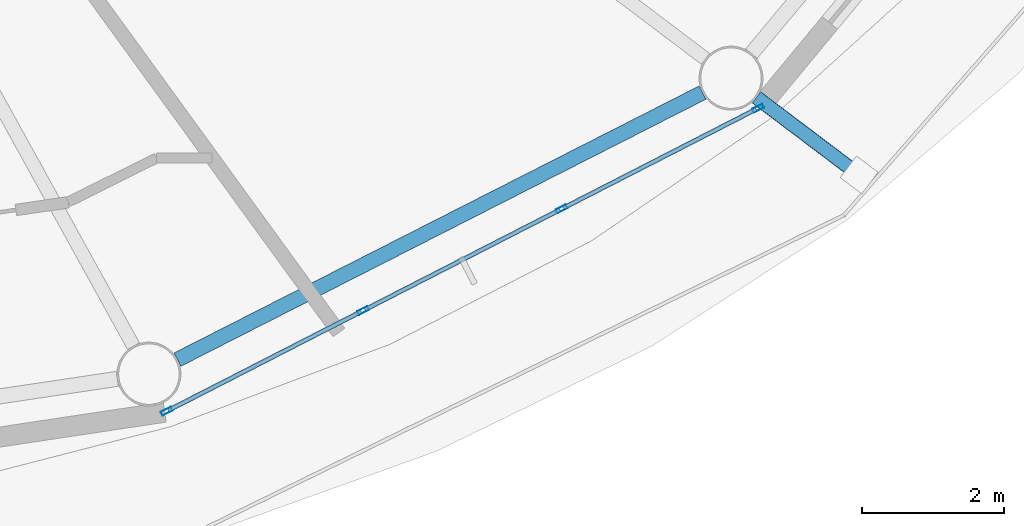
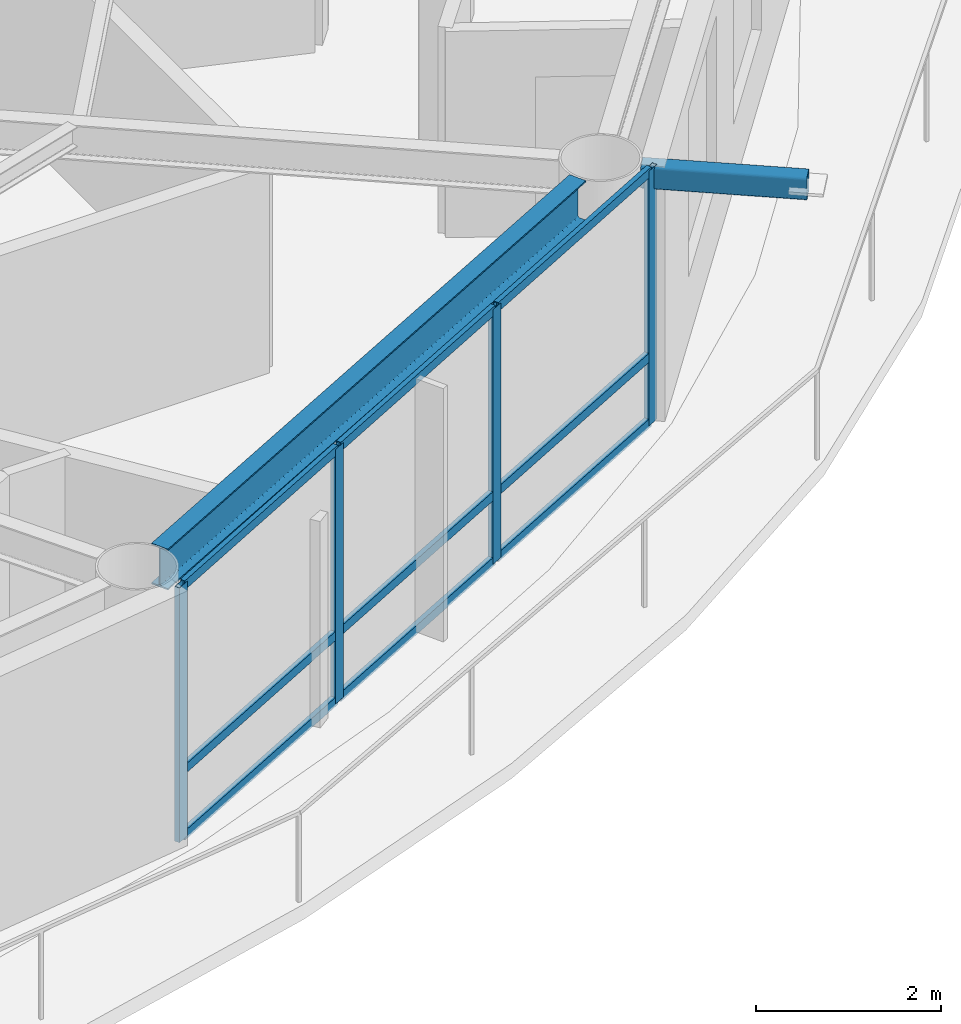
# One storey, part 5 of 23: 14 members, 1 beam, 1 element without a shape of its own.
"""IFC4 building model written with IfcOpenShell, lengths in metres."""

from ifc_helpers import new_model, si_unit, direction, frame, origin, origin_2d, place, context, subcontext, project, spatial, hollow_rectangle, i_section, extrude, material, layer, layer_set, material_profile, profile_set, type_object, element, aggregate, save


model = new_model("IFC4")

# Units and contexts
model_context = context("Model", 3, precision=1e-05, world=origin(), true_north=direction((0.0, 1.0)))
body_context = subcontext(model_context, "Body", "Model", "MODEL_VIEW")
ifc_project = project(units=[si_unit("LENGTHUNIT", "METRE"), si_unit("AREAUNIT", "SQUARE_METRE"), si_unit("VOLUMEUNIT", "CUBIC_METRE"), si_unit("PLANEANGLEUNIT", "RADIAN"), si_unit("MASSUNIT", "GRAM", prefix="KILO")], contexts=[model_context])

# Site, building, storey
site_placement = place(None, origin())
site = spatial("IfcSite", under=ifc_project, at=site_placement, CompositionType="ELEMENT")
building_placement = place(site_placement, origin())
building = spatial("IfcBuilding", under=site, at=building_placement, Name="Sarneth Arch Tower", CompositionType="ELEMENT")
storey_placement = place(building_placement, frame((0.0, 0.0, 224.39990234375)))
storey = spatial("IfcBuildingStorey", under=building, at=storey_placement, Name="L57", CompositionType="ELEMENT", Elevation=224.39990234375)

# Beam
ifc_material_1 = material(Name="Steel S355", Category="steel")
ifc_material_profile_1 = material_profile(ifc_material_1, i_section(OverallWidth=0.2109375, OverallDepth=0.5390625, WebThickness=0.01171875, FlangeThickness=0.018798828125, FilletRadius=0.01806640625, at=origin_2d()), Name="W530x109")
ifc_profile_set_1 = profile_set([ifc_material_profile_1], Name="Steel S355")
beam_type = type_object("IfcBeamType", Name="BM-RAD-530B", PredefinedType="BEAM", material=ifc_profile_set_1)
beam_placement = place(storey_placement, frame((58.19189453125, 24.465576171875, 3.090576171875), z_axis=(0.891376248079, 0.453264144138, 0.0), x_axis=(-0.453264144138, 0.891376248079, 0.0)))
element("IfcBeam", 1, at=beam_placement, inside=storey, type_object=beam_type, Name="L57 Perimeter spandrel beam 14", PredefinedType="BEAM", context=body_context, shape_type="SweptSolid", body=[
    extrude(i_section(OverallWidth=0.2109375, OverallDepth=0.5390625, WebThickness=0.01171875, FlangeThickness=0.018798828125, FilletRadius=0.01806640625, at=origin_2d()), origin(), (0.0, 0.0, 1.0), 8.281982421875),
])

# Curtain wall, members
ifc_material_2 = material(Name="Anodised aluminium Type AA25 and solar-control low-e laminated IGU", Category="aluminium")
ifc_layer = layer(ifc_material_2, 0.179931640625)
ifc_layer_set = layer_set([ifc_layer], Name="Anodised aluminium Type AA25 and solar-control low-e laminated IGU")
curtain_wall_type = type_object("IfcCurtainWallType", Name="CW-RES-HIGH", PredefinedType="NOTDEFINED", material=ifc_layer_set)
curtain_wall_placement = place(storey_placement, origin())
curtain_wall = element("IfcCurtainWall", 2, at=curtain_wall_placement, inside=storey, type_object=curtain_wall_type, Name="L57 Unitised curtain wall facet 14", PredefinedType="NOTDEFINED")
ifc_material_3 = material(Name="Anodised Aluminium 6063-T6", Category="aluminium")
ifc_material_profile_2 = material_profile(ifc_material_3, hollow_rectangle(XDim=0.06005859375, YDim=0.159912109375, WallThickness=0.00390625, at=origin_2d()), Name="AL-MULL-160x60x4")
ifc_profile_set_2 = profile_set([ifc_material_profile_2], Name="Anodised Aluminium 6063-T6")
member_type_1 = type_object("IfcMemberType", Name="CW-MULLION", PredefinedType="MULLION", material=ifc_profile_set_2)
member_1_placement = place(storey_placement, frame((58.039306640625, 23.7392578125, 0.0), z_axis=(0.0, 0.0, 1.0), x_axis=(-0.455941901753, 0.890009540525, 0.0)))
member_1 = element("IfcMember", 3, at=member_1_placement, type_object=member_type_1, Name="CW-SYS-6 mullion 1", PredefinedType="MULLION", context=body_context, shape_type="SweptSolid", body=[
    extrude(hollow_rectangle(XDim=0.06005859375, YDim=0.159912109375, WallThickness=0.00390625, at=origin_2d()), origin(), (0.0, 0.0, 1.0), 3.360107421875),
])
member_2_placement = place(storey_placement, frame((60.802490234375, 25.155029296875, 0.0), z_axis=(0.0, 0.0, 1.0), x_axis=(-0.455941901753, 0.890009540525, 0.0)))
member_2 = element("IfcMember", 4, at=member_2_placement, type_object=member_type_1, Name="CW-SYS-6 mullion 2", PredefinedType="MULLION", context=body_context, shape_type="SweptSolid", body=[
    extrude(hollow_rectangle(XDim=0.06005859375, YDim=0.159912109375, WallThickness=0.00390625, at=origin_2d()), origin(), (0.0, 0.0, 1.0), 3.360107421875),
])
member_3_placement = place(storey_placement, frame((63.592529296875, 26.584228515625, 0.0), z_axis=(0.0, 0.0, 1.0), x_axis=(-0.455941901753, 0.890009540525, 0.0)))
member_3 = element("IfcMember", 5, at=member_3_placement, type_object=member_type_1, Name="CW-SYS-6 mullion 3", PredefinedType="MULLION", context=body_context, shape_type="SweptSolid", body=[
    extrude(hollow_rectangle(XDim=0.06005859375, YDim=0.159912109375, WallThickness=0.00390625, at=origin_2d()), origin(), (0.0, 0.0, 1.0), 3.360107421875),
])
member_4_placement = place(storey_placement, frame((66.355712890625, 27.999755859375, 0.0), z_axis=(0.0, 0.0, 1.0), x_axis=(-0.455941901753, 0.890009540525, 0.0)))
member_4 = element("IfcMember", 6, at=member_4_placement, type_object=member_type_1, Name="CW-SYS-6 mullion 4", PredefinedType="MULLION", context=body_context, shape_type="SweptSolid", body=[
    extrude(hollow_rectangle(XDim=0.06005859375, YDim=0.159912109375, WallThickness=0.00390625, at=origin_2d()), origin(), (0.0, 0.0, 1.0), 3.360107421875),
])
ifc_material_4 = material(Name="Anodised Aluminium 6063-T6", Category="aluminium")
ifc_material_profile_3 = material_profile(ifc_material_4, hollow_rectangle(XDim=0.06005859375, YDim=0.1201171875, WallThickness=0.00390625, at=origin_2d()), Name="AL-TRAN-120x60x4")
ifc_profile_set_3 = profile_set([ifc_material_profile_3], Name="Anodised Aluminium 6063-T6")
member_type_2 = type_object("IfcMemberType", Name="CW-TRANSOM", PredefinedType="USERDEFINED", material=ifc_profile_set_3)
member_5_placement = place(storey_placement, frame((58.066162109375, 23.7529296875, 0.030029296875), z_axis=(0.889973523166, 0.456012201662, 0.0), x_axis=(-0.456012201662, 0.889973523166, 0.0)))
member_5 = element("IfcMember", 7, at=member_5_placement, type_object=member_type_2, Name="CW-SYS-6 transom 1.1", ObjectType="TRANSOM", PredefinedType="USERDEFINED", context=body_context, shape_type="SweptSolid", body=[
    extrude(hollow_rectangle(XDim=0.06005859375, YDim=0.1201171875, WallThickness=0.00390625, at=origin_2d()), origin(), (0.0, 0.0, 1.0), 3.044677734375),
])
member_6_placement = place(storey_placement, frame((58.066162109375, 23.7529296875, 0.900146484375), z_axis=(0.889973523166, 0.456012201662, 0.0), x_axis=(-0.456012201662, 0.889973523166, 0.0)))
member_6 = element("IfcMember", 8, at=member_6_placement, type_object=member_type_2, Name="CW-SYS-6 transom 1.2", ObjectType="TRANSOM", PredefinedType="USERDEFINED", context=body_context, shape_type="SweptSolid", body=[
    extrude(hollow_rectangle(XDim=0.06005859375, YDim=0.1201171875, WallThickness=0.00390625, at=origin_2d()), origin(), (0.0, 0.0, 1.0), 3.044677734375),
])
member_7_placement = place(storey_placement, frame((58.066162109375, 23.7529296875, 3.330078125), z_axis=(0.889973523166, 0.456012201662, 0.0), x_axis=(-0.456012201662, 0.889973523166, 0.0)))
member_7 = element("IfcMember", 9, at=member_7_placement, type_object=member_type_2, Name="CW-SYS-6 transom 1.3", ObjectType="TRANSOM", PredefinedType="USERDEFINED", context=body_context, shape_type="SweptSolid", body=[
    extrude(hollow_rectangle(XDim=0.06005859375, YDim=0.1201171875, WallThickness=0.00390625, at=origin_2d()), origin(), (0.0, 0.0, 1.0), 3.044677734375),
])
member_8_placement = place(storey_placement, frame((60.829345703125, 25.168701171875, 0.030029296875), z_axis=(0.890017432405, 0.455926496286, 0.0), x_axis=(-0.455926496286, 0.890017432405, 0.0)))
member_8 = element("IfcMember", 10, at=member_8_placement, type_object=member_type_2, Name="CW-SYS-6 transom 2.1", ObjectType="TRANSOM", PredefinedType="USERDEFINED", context=body_context, shape_type="SweptSolid", body=[
    extrude(hollow_rectangle(XDim=0.06005859375, YDim=0.1201171875, WallThickness=0.00390625, at=origin_2d()), origin(), (0.0, 0.0, 1.0), 3.07470703125),
])
member_9_placement = place(storey_placement, frame((60.829345703125, 25.168701171875, 0.900146484375), z_axis=(0.890017432405, 0.455926496286, 0.0), x_axis=(-0.455926496286, 0.890017432405, 0.0)))
member_9 = element("IfcMember", 11, at=member_9_placement, type_object=member_type_2, Name="CW-SYS-6 transom 2.2", ObjectType="TRANSOM", PredefinedType="USERDEFINED", context=body_context, shape_type="SweptSolid", body=[
    extrude(hollow_rectangle(XDim=0.06005859375, YDim=0.1201171875, WallThickness=0.00390625, at=origin_2d()), origin(), (0.0, 0.0, 1.0), 3.07470703125),
])
member_10_placement = place(storey_placement, frame((60.829345703125, 25.168701171875, 3.330078125), z_axis=(0.890017432405, 0.455926496286, 0.0), x_axis=(-0.455926496286, 0.890017432405, 0.0)))
member_10 = element("IfcMember", 12, at=member_10_placement, type_object=member_type_2, Name="CW-SYS-6 transom 2.3", ObjectType="TRANSOM", PredefinedType="USERDEFINED", context=body_context, shape_type="SweptSolid", body=[
    extrude(hollow_rectangle(XDim=0.06005859375, YDim=0.1201171875, WallThickness=0.00390625, at=origin_2d()), origin(), (0.0, 0.0, 1.0), 3.07470703125),
])
member_11_placement = place(storey_placement, frame((63.619140625, 26.597900390625, 0.030029296875), z_axis=(0.890022732705, 0.455916149384, 0.0), x_axis=(-0.455916149384, 0.890022732705, 0.0)))
member_11 = element("IfcMember", 13, at=member_11_placement, type_object=member_type_2, Name="CW-SYS-6 transom 3.1", ObjectType="TRANSOM", PredefinedType="USERDEFINED", context=body_context, shape_type="SweptSolid", body=[
    extrude(hollow_rectangle(XDim=0.06005859375, YDim=0.1201171875, WallThickness=0.00390625, at=origin_2d()), origin(), (0.0, 0.0, 1.0), 3.044921875),
])
member_12_placement = place(storey_placement, frame((63.619140625, 26.597900390625, 0.900146484375), z_axis=(0.890022732705, 0.455916149384, 0.0), x_axis=(-0.455916149384, 0.890022732705, 0.0)))
member_12 = element("IfcMember", 14, at=member_12_placement, type_object=member_type_2, Name="CW-SYS-6 transom 3.2", ObjectType="TRANSOM", PredefinedType="USERDEFINED", context=body_context, shape_type="SweptSolid", body=[
    extrude(hollow_rectangle(XDim=0.06005859375, YDim=0.1201171875, WallThickness=0.00390625, at=origin_2d()), origin(), (0.0, 0.0, 1.0), 3.044921875),
])
member_13_placement = place(storey_placement, frame((63.619140625, 26.597900390625, 3.330078125), z_axis=(0.890022732705, 0.455916149384, 0.0), x_axis=(-0.455916149384, 0.890022732705, 0.0)))
member_13 = element("IfcMember", 15, at=member_13_placement, type_object=member_type_2, Name="CW-SYS-6 transom 3.3", ObjectType="TRANSOM", PredefinedType="USERDEFINED", context=body_context, shape_type="SweptSolid", body=[
    extrude(hollow_rectangle(XDim=0.06005859375, YDim=0.1201171875, WallThickness=0.00390625, at=origin_2d()), origin(), (0.0, 0.0, 1.0), 3.044921875),
])
aggregate(curtain_wall, [member_1, member_2, member_3, member_4, member_5, member_6, member_7, member_8, member_9, member_10, member_11, member_12, member_13])

# Member
ifc_material_5 = material(Name="Steel S355", Category="steel")
ifc_material_profile_4 = material_profile(ifc_material_5, hollow_rectangle(XDim=0.199951171875, YDim=0.300048828125, WallThickness=0.012451171875, InnerFilletRadius=0.018798828125, OuterFilletRadius=0.03125, at=origin_2d()), Name="RHS300x200x12.5")
ifc_profile_set_4 = profile_set([ifc_material_profile_4], Name="Steel S355")
member_type_3 = type_object("IfcMemberType", Name="MEM-CANT-STRUT", PredefinedType="STRUT", material=ifc_profile_set_4)
member_14_placement = place(storey_placement, frame((66.334228515625, 28.15234375, 3.2001953125), z_axis=(0.798002943368, -0.60265355087, 0.0), x_axis=(0.60265355087, 0.798002943368, 0.0)))
element("IfcMember", 16, at=member_14_placement, inside=storey, type_object=member_type_3, Name="L57 Balcony cantilever bracket 15", PredefinedType="STRUT", context=body_context, shape_type="SweptSolid", body=[
    extrude(hollow_rectangle(XDim=0.199951171875, YDim=0.300048828125, WallThickness=0.012451171875, InnerFilletRadius=0.018798828125, OuterFilletRadius=0.03125, at=origin_2d()), origin(), (0.0, 0.0, 1.0), 1.808349609375),
])

save(model, "model.ifc")
